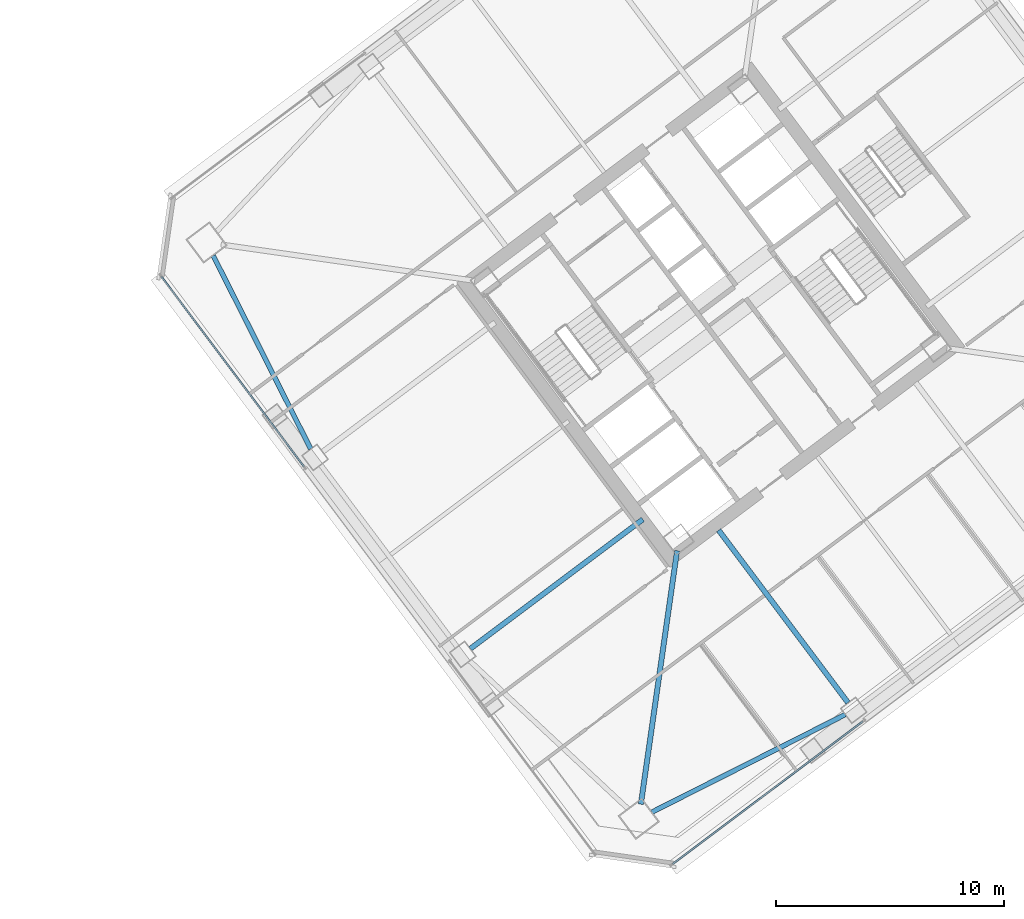
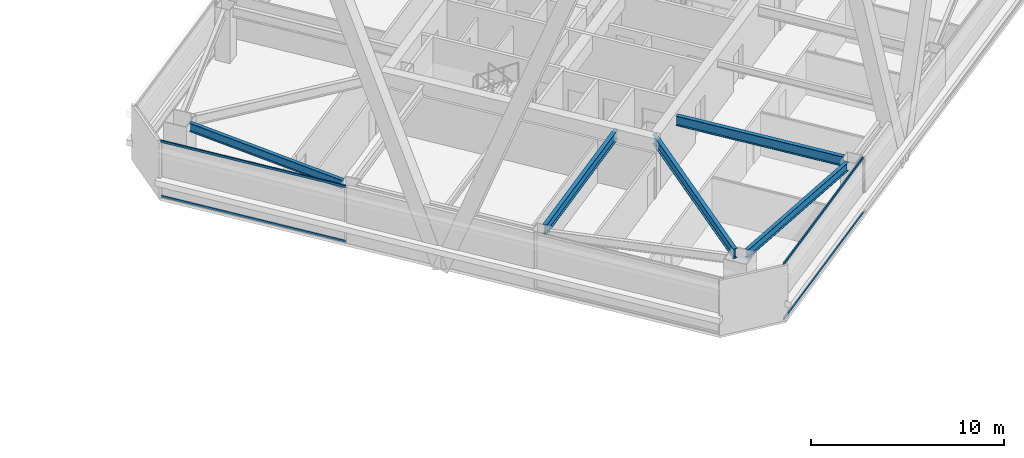
# One storey, part 22 of 50: 5 beams, 4 members, 2 elements without a shape of their own.
"""IFC4 building model written with IfcOpenShell, lengths in metres."""

import ifcopenshell
import ifcopenshell.guid

model = None  # the IFC model being written
_history = None  # IfcOwnerHistory: only IFC2X3 demands one
_inside = {}  # id of a spatial element -> (the spatial element, [elements in it])
_under = {}  # id of a project, library or spatial element -> (it, [spatial elements below it])
_declared = {}  # id of a project -> (the project, [libraries it declares])
_typed = {}  # id of a type object -> (the type object, [elements of that type])
_made_of = {}  # id of a material, layer set ... -> (it, [elements and type objects made of it])


def new_model(schema):
    """Start an empty IFC model of exactly this schema.

    Asked for "IFC4X3", IfcOpenShell would pick the latest addendum, in which some entities
    have other attributes; the version numbers below select the first issue.
    IFC2X3 requires an IfcOwnerHistory on every rooted entity: one is made here for all.
    """
    global model, _history
    if schema == "IFC4X3":
        model = ifcopenshell.file(schema_version=(4, 3, 0, 0))
    else:
        model = ifcopenshell.file(schema=schema)
    _inside.clear()
    _under.clear()
    _declared.clear()
    _typed.clear()
    _made_of.clear()
    _history = None
    if model.schema == "IFC2X3":
        org = make("IfcOrganization", Name="unknown")
        user = make(
            "IfcPersonAndOrganization",
            ThePerson=make("IfcPerson", FamilyName="unknown"),
            TheOrganization=org,
        )
        app = make(
            "IfcApplication",
            ApplicationDeveloper=org,
            Version="unknown",
            ApplicationFullName="unknown",
            ApplicationIdentifier="unknown",
        )
        _history = make(
            "IfcOwnerHistory",
            OwningUser=user,
            OwningApplication=app,
            ChangeAction="ADDED",
            CreationDate=0,
        )
    return model


def make(cls, **values):
    """One entity of the class cls with the attributes given. An attribute that is None is left unset."""
    return model.create_entity(
        cls, **{name: value for name, value in values.items() if value is not None}
    )


def rooted(cls, **values):
    """An entity with a GlobalId (a new one), such as an element, a storey or a relation."""
    return make(cls, GlobalId=ifcopenshell.guid.new(), OwnerHistory=_history, **values)


def si_unit(unit_type, name, prefix=None):
    """IfcSIUnit, for example si_unit("LENGTHUNIT", "METRE", prefix="MILLI")."""
    return make("IfcSIUnit", UnitType=unit_type, Prefix=prefix, Name=name)


def assignment(units):
    """IfcUnitAssignment: the units of a project."""
    return None if units is None else make("IfcUnitAssignment", Units=units)


def point(xyz):
    """IfcCartesianPoint."""
    return None if xyz is None else make("IfcCartesianPoint", Coordinates=xyz)


def direction(xyz):
    """IfcDirection."""
    return None if xyz is None else make("IfcDirection", DirectionRatios=xyz)


def frame(location, z_axis=None, x_axis=None):
    """IfcAxis2Placement3D, a coordinate frame: its origin and axes. An axis left out is left unset."""
    return make(
        "IfcAxis2Placement3D",
        Location=point(location),
        Axis=direction(z_axis),
        RefDirection=direction(x_axis),
    )


def frame_2d(location, x_axis=None):
    """IfcAxis2Placement2D, a coordinate frame in the plane: its origin and x axis."""
    return make(
        "IfcAxis2Placement2D", Location=point(location), RefDirection=direction(x_axis)
    )


def origin():
    """The frame at (0, 0, 0) with its axes left unset."""
    return frame((0.0, 0.0, 0.0))


def origin_2d():
    """The frame at (0, 0) in the plane with its x axis left unset."""
    return frame_2d((0.0, 0.0))


def place(relative_to, where):
    """IfcLocalPlacement: puts the frame where relative to a parent placement (None: the world)."""
    return make(
        "IfcLocalPlacement", PlacementRelTo=relative_to, RelativePlacement=where
    )


def context(
    kind, dimensions, precision=None, world=None, true_north=None, identifier=None
):
    """IfcGeometricRepresentationContext, for example the 3D "Model" context."""
    return make(
        "IfcGeometricRepresentationContext",
        ContextIdentifier=identifier,
        ContextType=kind,
        CoordinateSpaceDimension=dimensions,
        Precision=precision,
        WorldCoordinateSystem=world,
        TrueNorth=true_north,
    )


def subcontext(parent, identifier, kind, view, scale=None):
    """IfcGeometricRepresentationSubContext, for example "Body" below "Model"."""
    return make(
        "IfcGeometricRepresentationSubContext",
        ContextIdentifier=identifier,
        ContextType=kind,
        ParentContext=parent,
        TargetScale=scale,
        TargetView=view,
    )


def project(units=None, contexts=None):
    """IfcProject with its units and contexts."""
    return rooted(
        "IfcProject",
        Name="project",
        RepresentationContexts=contexts,
        UnitsInContext=assignment(units),
    )


def spatial(cls, under=None, at=None, **own):
    """A site, building, storey or space (cls), placed at a placement, below another one or the project."""
    s = rooted(cls, ObjectPlacement=at, **own)
    if under is not None:
        _under.setdefault(under.id(), (under, []))[1].append(s)
    return s


def profile(cls, at=None, kind="AREA", **sizes):
    """A parametric profile (cls). Its sizes go by their IFC names, for example OverallWidth=200.0."""
    return make(cls, ProfileType=kind, Position=at, **sizes)


def hollow_rectangle(**sizes):
    """IfcRectangleHollowProfileDef."""
    return profile("IfcRectangleHollowProfileDef", **sizes)


def i_section(**sizes):
    """IfcIShapeProfileDef."""
    return profile("IfcIShapeProfileDef", **sizes)


def extrude(swept, where, along, depth):
    """IfcExtrudedAreaSolid: the profile swept, set in the frame where, extruded along a direction by depth."""
    return make(
        "IfcExtrudedAreaSolid",
        SweptArea=swept,
        Position=where,
        ExtrudedDirection=direction(along),
        Depth=depth,
    )


def shape(context_of_items, identifier, shape_type, items):
    """IfcShapeRepresentation: the items that make up one representation, for example the "Body"."""
    return make(
        "IfcShapeRepresentation",
        ContextOfItems=context_of_items,
        RepresentationIdentifier=identifier,
        RepresentationType=shape_type,
        Items=items,
    )


def material(Name=None, Category=None):
    """IfcMaterial."""
    return make("IfcMaterial", Name=Name, Category=Category)


def material_profile(
    of_material, cross_section, Name=None, Category=None, Priority=None
):
    """IfcMaterialProfile: a cross section and its material."""
    return make(
        "IfcMaterialProfile",
        Name=Name,
        Material=of_material,
        Profile=cross_section,
        Priority=Priority,
        Category=Category,
    )


def profile_set(profiles, Name=None, composite=None):
    """IfcMaterialProfileSet."""
    return make(
        "IfcMaterialProfileSet",
        Name=Name,
        MaterialProfiles=profiles,
        CompositeProfile=composite,
    )


def made_of(thing, what):
    """Note that an element or type object is made of a material, layer set ...; save() writes the relation."""
    if what is not None:
        _made_of.setdefault(what.id(), (what, []))[1].append(thing)
    return thing


def type_object(cls, material=None, **own):
    """A type object (cls), such as IfcWallType, which elements share."""
    return made_of(rooted(cls, **own), material)


def element(
    cls,
    number,
    at=None,
    inside=None,
    cuts=None,
    type_object=None,
    material=None,
    context=None,
    identifier="Body",
    shape_type=None,
    held_by="IfcProductDefinitionShape",
    body=None,
    shapes=None,
    **own,
):
    """One element of the class cls, such as IfcWall. Its Tag is "e" and its number.

    at: its placement. inside: the storey or other place that contains it. cuts: it is an
    opening in that element (IfcRelVoidsElement). A single representation is given by context,
    identifier, shape_type and body (its items); several are given by shapes. held_by: the class
    of the entity that holds the representations. save() writes the other relations.
    """
    e = rooted(cls, Tag="e%d" % number, ObjectPlacement=at, **own)
    if body is not None:
        shapes = [shape(context, identifier, shape_type, body)]
    if shapes is not None:
        e.Representation = make(held_by, Representations=shapes)
    if inside is not None:
        _inside.setdefault(inside.id(), (inside, []))[1].append(e)
    if cuts is not None:
        rooted(
            "IfcRelVoidsElement", RelatingBuildingElement=cuts, RelatedOpeningElement=e
        )
    if type_object is not None:
        _typed.setdefault(type_object.id(), (type_object, []))[1].append(e)
    return made_of(e, material)


def aggregate(whole, parts):
    """IfcRelAggregates: a whole, such as a stair, and the parts it consists of."""
    return rooted("IfcRelAggregates", RelatingObject=whole, RelatedObjects=parts)


def save(model, path):
    """Write the relations noted so far, then the file.

    IfcRelAggregates (storeys below a building ...), IfcRelContainedInSpatialStructure (elements
    in a storey), IfcRelDefinesByType, IfcRelAssociatesMaterial and IfcRelDeclares: one each for
    every whole, place, type object, material and project.
    """
    for whole, parts in _under.values():
        aggregate(whole, parts)
    for where, things in _inside.values():
        rooted(
            "IfcRelContainedInSpatialStructure",
            RelatedElements=things,
            RelatingStructure=where,
        )
    for kind, things in _typed.values():
        rooted("IfcRelDefinesByType", RelatedObjects=things, RelatingType=kind)
    for what, things in _made_of.values():
        rooted("IfcRelAssociatesMaterial", RelatedObjects=things, RelatingMaterial=what)
    for by, libraries in _declared.values():
        rooted("IfcRelDeclares", RelatingContext=by, RelatedDefinitions=libraries)
    model.write(path)


model = new_model("IFC4")

# Units and contexts
model_context = context("Model", 3, precision=1e-05, world=origin(), true_north=direction((0.0, 1.0)))
body_context = subcontext(model_context, "Body", "Model", "MODEL_VIEW")
ifc_project = project(units=[si_unit("LENGTHUNIT", "METRE"), si_unit("AREAUNIT", "SQUARE_METRE"), si_unit("VOLUMEUNIT", "CUBIC_METRE"), si_unit("PLANEANGLEUNIT", "RADIAN"), si_unit("MASSUNIT", "GRAM", prefix="KILO")], contexts=[model_context])

# Site, building, storey
site_placement = place(None, origin())
site = spatial("IfcSite", under=ifc_project, at=site_placement, CompositionType="ELEMENT")
building_placement = place(site_placement, origin())
building = spatial("IfcBuilding", under=site, at=building_placement, Name="Tashvorn Skyway Center", CompositionType="ELEMENT")
storey_placement = place(building_placement, frame((0.0, 0.0, 114.39990234375)))
storey = spatial("IfcBuildingStorey", under=building, at=storey_placement, Name="L30", CompositionType="ELEMENT", Elevation=114.39990234375)

# Beams
ifc_material_1 = material(Name="Steel ASTM A992 Grade 50", Category="steel")
ifc_material_profile_1 = material_profile(ifc_material_1, i_section(OverallWidth=0.22998046875, OverallDepth=0.616943359375, WebThickness=0.01318359375, FlangeThickness=0.022216796875, at=origin_2d()), Name="W24X94")
ifc_profile_set_1 = profile_set([ifc_material_profile_1], Name="Steel ASTM A992 Grade 50")
beam_type_1 = type_object("IfcBeamType", Name="BM-BEAM-W24X94", PredefinedType="BEAM", material=ifc_profile_set_1)
beam_placement = place(storey_placement, frame((110.93115234375, 10.5185546875, 3.0615234375), z_axis=(0.141430483583, 0.989948189712, 0.0), x_axis=(-0.989948189712, 0.141430483583, 0.0)))
element("IfcBeam", 1, at=beam_placement, inside=storey, type_object=beam_type_1, Name="Tower 2 L30 Primary Floor Girder MC-SW", PredefinedType="BEAM", context=body_context, shape_type="SweptSolid", body=[
    extrude(i_section(OverallWidth=0.22998046875, OverallDepth=0.616943359375, WebThickness=0.01318359375, FlangeThickness=0.022216796875, at=origin_2d()), origin(), (0.0, 0.0, 1.0), 11.234375),
])
for number, where, z_axis, x_axis, name in (
    (2, (120.01806640625, 14.97607421875, 3.0615234375), (-0.600020667896, 0.799984498661, 0.0), (-0.799984498661, -0.600020667896, 0.0), "Tower 2 L30 Primary Floor Girder FC-S1"),
    (3, (103.4560546875, 17.342041015625, 3.0615234375), (0.800006200354, 0.599991732772, 0.0), (-0.599991732772, 0.800006200354, 0.0), "Tower 2 L30 Primary Floor Girder FC-W2"),
):
    element("IfcBeam", number, at=place(storey_placement, frame(where, z_axis=z_axis, x_axis=x_axis)), inside=storey, type_object=beam_type_1, Name=name, PredefinedType="BEAM", context=body_context, shape_type="SweptSolid", body=[
        extrude(i_section(OverallWidth=0.22998046875, OverallDepth=0.616943359375, WebThickness=0.01318359375, FlangeThickness=0.022216796875, at=origin_2d()), origin(), (0.0, 0.0, 1.0), 9.449951171875),
    ])
ifc_material_profile_2 = material_profile(ifc_material_1, i_section(OverallWidth=0.2109375, OverallDepth=0.5390625, WebThickness=0.01171875, FlangeThickness=0.018798828125, at=origin_2d()), Name="W21X73")
ifc_profile_set_2 = profile_set([ifc_material_profile_2], Name="Steel ASTM A992 Grade 50")
beam_type_2 = type_object("IfcBeamType", Name="BM-SPANDREL-W21X73", PredefinedType="SPANDREL", material=ifc_profile_set_2)
for number, where, z_axis, x_axis, name in (
    (4, (111.415771484375, 10.170654296875, 3.1005859375), (0.892719124217, 0.450613543136, 0.0), (-0.450613543136, 0.892719124217, 0.0), "Tower 2 L30 Spandrel Beam 01"),
    (5, (92.170654296875, 34.584228515625, 3.1005859375), (0.450613543136, -0.892719124217, 0.0), (0.892719124217, 0.450613543136, 0.0), "Tower 2 L30 Spandrel Beam 10"),
):
    element("IfcBeam", number, at=place(storey_placement, frame(where, z_axis=z_axis, x_axis=x_axis)), inside=storey, type_object=beam_type_2, Name=name, PredefinedType="SPANDREL", context=body_context, shape_type="SweptSolid", body=[
        extrude(i_section(OverallWidth=0.2109375, OverallDepth=0.5390625, WebThickness=0.01171875, FlangeThickness=0.018798828125, at=origin_2d()), origin(), (0.0, 0.0, 1.0), 9.498291015625),
    ])

# Curtain wall, members
ifc_material_2 = material(Name="Thermally broken bronze-anodized aluminium 6063-T6", Category="aluminium")
curtain_wall_type = type_object("IfcCurtainWallType", Name="CW-CW-Z3", PredefinedType="NOTDEFINED", material=ifc_material_2)
curtain_wall_1_placement = place(storey_placement, origin())
curtain_wall_1 = element("IfcCurtainWall", 6, at=curtain_wall_1_placement, inside=storey, type_object=curtain_wall_type, Name="Tower 2 L30 South Unitised Curtain Wall Glazing Group 2", PredefinedType="NOTDEFINED")
ifc_material_profile_3 = material_profile(ifc_material_2, hollow_rectangle(XDim=0.074951171875, YDim=0.139892578125, WallThickness=0.004150390625, at=origin_2d()), Name="ALU-TRAN-75x140")
ifc_profile_set_3 = profile_set([ifc_material_profile_3], Name="Thermally broken bronze-anodized aluminium 6063-T6")
member_type = type_object("IfcMemberType", Name="CWT-CW-Z3", PredefinedType="USERDEFINED", material=ifc_profile_set_3)
member_1_placement = place(storey_placement, frame((120.67333984375, 14.155029296875, 0.03759765625), z_axis=(-0.800002807101, -0.599996257181, 0.0), x_axis=(0.599996257181, -0.800002807101, 0.0)))
member_1 = element("IfcMember", 7, at=member_1_placement, type_object=member_type, Name="CW-Z3 transom 1.1", ObjectType="TRANSOM", PredefinedType="USERDEFINED", context=body_context, shape_type="SweptSolid", body=[
    extrude(hollow_rectangle(XDim=0.074951171875, YDim=0.139892578125, WallThickness=0.004150390625, at=origin_2d()), origin(), (0.0, 0.0, 1.0), 10.436767578125),
])
member_2_placement = place(storey_placement, frame((120.67333984375, 14.155029296875, 3.5126953125), z_axis=(-0.800002807101, -0.599996257181, 0.0), x_axis=(0.599996257181, -0.800002807101, 0.0)))
member_2 = element("IfcMember", 8, at=member_2_placement, type_object=member_type, Name="CW-Z3 transom 1.2", ObjectType="TRANSOM", PredefinedType="USERDEFINED", context=body_context, shape_type="SweptSolid", body=[
    extrude(hollow_rectangle(XDim=0.074951171875, YDim=0.139892578125, WallThickness=0.004150390625, at=origin_2d()), origin(), (0.0, 0.0, 1.0), 10.436767578125),
])
aggregate(curtain_wall_1, [member_1, member_2])

curtain_wall_2_placement = place(storey_placement, origin())
curtain_wall_2 = element("IfcCurtainWall", 9, at=curtain_wall_2_placement, inside=storey, type_object=curtain_wall_type, Name="Tower 2 L30 West Unitised Curtain Wall Glazing Group 2", PredefinedType="NOTDEFINED")
member_3_placement = place(storey_placement, frame((96.155029296875, 25.32666015625, 0.03759765625), z_axis=(-0.599996257181, 0.800002807101, 0.0), x_axis=(-0.800002807101, -0.599996257181, 0.0)))
member_3 = element("IfcMember", 10, at=member_3_placement, type_object=member_type, Name="CW-Z3 transom 1.1", ObjectType="TRANSOM", PredefinedType="USERDEFINED", context=body_context, shape_type="SweptSolid", body=[
    extrude(hollow_rectangle(XDim=0.074951171875, YDim=0.139892578125, WallThickness=0.004150390625, at=origin_2d()), origin(), (0.0, 0.0, 1.0), 10.436767578125),
])
member_4_placement = place(storey_placement, frame((96.155029296875, 25.32666015625, 3.5126953125), z_axis=(-0.599996257181, 0.800002807101, 0.0), x_axis=(-0.800002807101, -0.599996257181, 0.0)))
member_4 = element("IfcMember", 11, at=member_4_placement, type_object=member_type, Name="CW-Z3 transom 1.2", ObjectType="TRANSOM", PredefinedType="USERDEFINED", context=body_context, shape_type="SweptSolid", body=[
    extrude(hollow_rectangle(XDim=0.074951171875, YDim=0.139892578125, WallThickness=0.004150390625, at=origin_2d()), origin(), (0.0, 0.0, 1.0), 10.436767578125),
])
aggregate(curtain_wall_2, [member_3, member_4])

save(model, "model.ifc")
